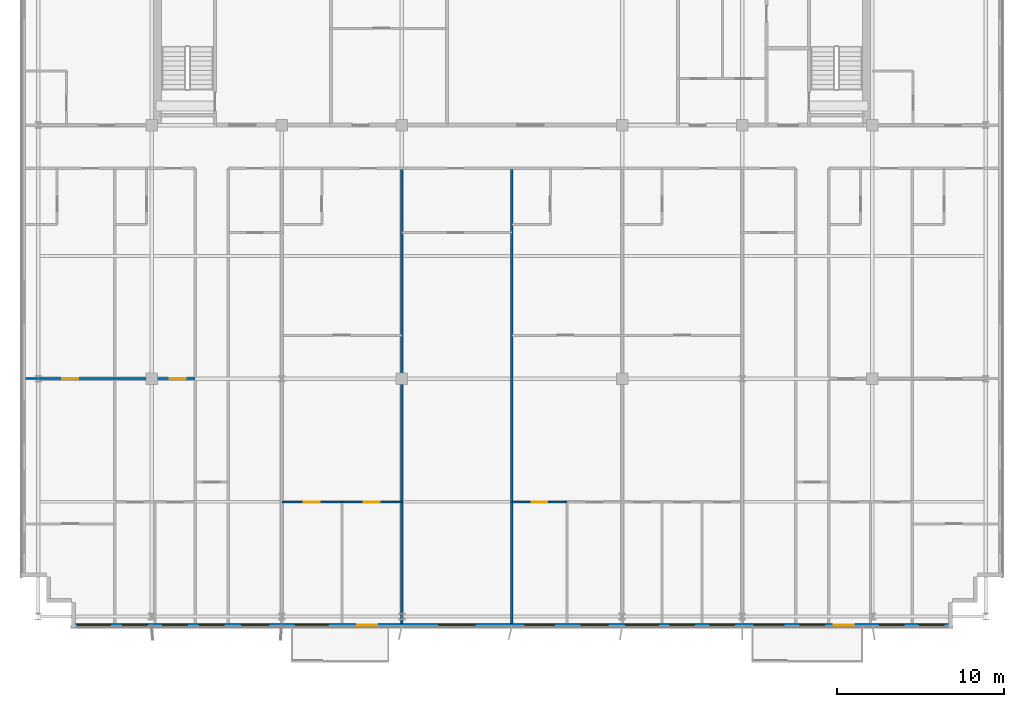
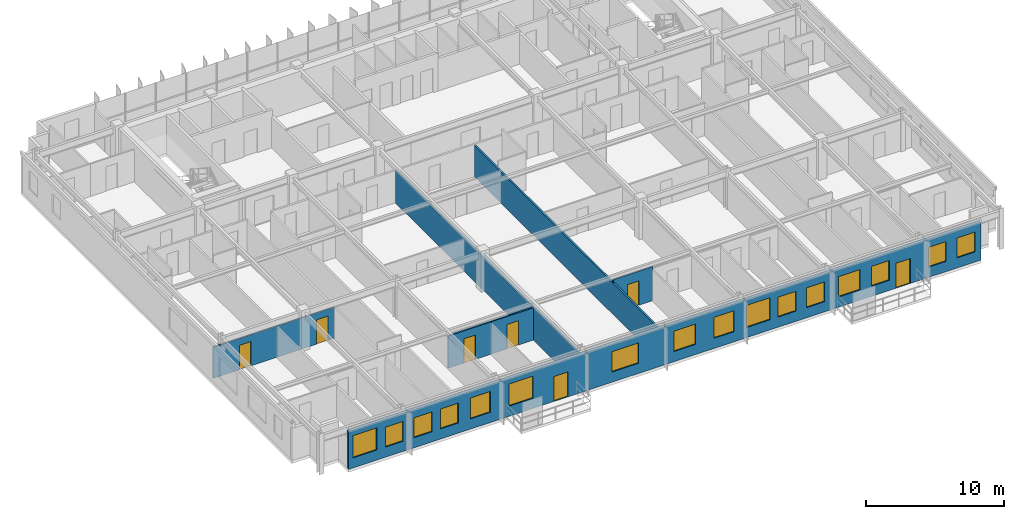
# One storey, part 15 of 22: 16 windows, 8 walls, 7 doors, 23 openings.
"""IFC4 building model written with IfcOpenShell, lengths in metres."""

from ifc_helpers import new_model, si_unit, direction, frame, frame_2d, origin, place, context, subcontext, project, spatial, rectangle, extrude, source, transform, mapped, material, layer, layer_set, type_object, element, fill, save


model = new_model("IFC4")

# Units and contexts
model_context = context("Model", 3, precision=1e-05, world=origin(), true_north=direction((0.0, 1.0)))
body_context = subcontext(model_context, "Body", "Model", "MODEL_VIEW")
ifc_project = project(units=[si_unit("LENGTHUNIT", "METRE"), si_unit("AREAUNIT", "SQUARE_METRE"), si_unit("VOLUMEUNIT", "CUBIC_METRE"), si_unit("PLANEANGLEUNIT", "RADIAN"), si_unit("MASSUNIT", "GRAM", prefix="KILO")], contexts=[model_context])

# Site, building, storey
site_placement = place(None, origin())
site = spatial("IfcSite", under=ifc_project, at=site_placement, CompositionType="ELEMENT")
building_placement = place(site_placement, origin())
building = spatial("IfcBuilding", under=site, at=building_placement, Name="Trelvane Seafront Commons", CompositionType="ELEMENT")
storey_placement = place(building_placement, frame((0.0, 0.0, 139.300048828125)))
storey = spatial("IfcBuildingStorey", under=building, at=storey_placement, Name="L36", CompositionType="ELEMENT", Elevation=139.300048828125)

# Wall, openings, doors, windows
ifc_material_1 = material(Name="Precast concrete C40/50", Category="concrete")
ifc_layer_1 = layer(ifc_material_1, 0.239990234375, Name="ARCH-WALL-EXT240")
ifc_layer_set_1 = layer_set([ifc_layer_1], Name="Precast concrete C40/50")
wall_type_1 = type_object("IfcWallType", Name="ARCH-WALL-EXT240", PredefinedType="SOLIDWALL", material=ifc_layer_set_1)
wall_1_placement = place(storey_placement, frame((63.60009765625, 3.419921875, 0.0), z_axis=(0.0, 0.0, 1.0), x_axis=(-1.0, 0.0, 0.0)))
wall_1 = element("IfcWall", 1, at=wall_1_placement, inside=storey, type_object=wall_type_1, Name="EW-L36-00714", PredefinedType="SOLIDWALL", context=body_context, shape_type="SweptSolid", body=[
    extrude(rectangle(XDim=52.800048828125, YDim=0.239990234375, at=frame_2d((26.39990234375, 0.0))), origin(), (0.0, 0.0, 1.0), 3.349853515625),
])
opening_1_placement = place(wall_1_placement, frame((0.4951171875, 0.0, 0.89990234375)))
opening_1 = element("IfcOpeningElement", 2, at=opening_1_placement, cuts=wall_1, Name="Opening W03", PredefinedType="OPENING", context=body_context, shape_type="SweptSolid", body=[
    extrude(rectangle(XDim=1.5, YDim=1.75, at=frame_2d((0.75, 0.875))), frame((0.0, 0.1298828125, 0.0), z_axis=(0.0, -1.0, 0.0), x_axis=(1.0, 0.0, 0.0)), (0.0, 0.0, 1.0), 0.260009765625),
])
opening_2_placement = place(wall_1_placement, frame((2.89990234375, 0.0, 0.89990234375)))
opening_2 = element("IfcOpeningElement", 3, at=opening_2_placement, cuts=wall_1, Name="Opening W03", PredefinedType="OPENING", context=body_context, shape_type="SweptSolid", body=[
    extrude(rectangle(XDim=1.5, YDim=1.75, at=frame_2d((0.75, 0.875))), frame((0.0, 0.1298828125, 0.0), z_axis=(0.0, -1.0, 0.0), x_axis=(1.0, 0.0, 0.0)), (0.0, 0.0, 1.0), 0.260009765625),
])
opening_3_placement = place(wall_1_placement, frame((5.902099609375, 0.0, 0.0)))
opening_3 = element("IfcOpeningElement", 4, at=opening_3_placement, cuts=wall_1, Name="Opening BD-L36-85", PredefinedType="OPENING", context=body_context, shape_type="SweptSolid", body=[
    extrude(rectangle(XDim=1.199951171875, YDim=2.199951171875, at=frame_2d((0.60009765625, 1.10009765625))), frame((0.0, 0.1298828125, 0.0), z_axis=(0.0, -1.0, 0.0), x_axis=(1.0, 0.0, 0.0)), (0.0, 0.0, 1.0), 0.260009765625),
])
opening_4_placement = place(wall_1_placement, frame((7.64990234375, 0.0, 0.89990234375)))
opening_4 = element("IfcOpeningElement", 5, at=opening_4_placement, cuts=wall_1, Name="Opening W03", PredefinedType="OPENING", context=body_context, shape_type="SweptSolid", body=[
    extrude(rectangle(XDim=1.5, YDim=1.75, at=frame_2d((0.75, 0.875))), frame((0.0, 0.1298828125, 0.0), z_axis=(0.0, -1.0, 0.0), x_axis=(1.0, 0.0, 0.0)), (0.0, 0.0, 1.0), 0.260009765625),
])
opening_5_placement = place(wall_1_placement, frame((10.10009765625, 0.0, 0.89990234375)))
opening_5 = element("IfcOpeningElement", 6, at=opening_5_placement, cuts=wall_1, Name="Opening W01", PredefinedType="OPENING", context=body_context, shape_type="SweptSolid", body=[
    extrude(rectangle(XDim=1.800048828125, YDim=1.800048828125, at=frame_2d((0.89990234375, 0.89990234375))), frame((0.0, 0.1298828125, 0.0), z_axis=(0.0, -1.0, 0.0), x_axis=(1.0, 0.0, 0.0)), (0.0, 0.0, 1.0), 0.260009765625),
])
opening_6_placement = place(wall_1_placement, frame((13.050048828125, 0.0, 0.89990234375)))
opening_6 = element("IfcOpeningElement", 7, at=opening_6_placement, cuts=wall_1, Name="Opening W03", PredefinedType="OPENING", context=body_context, shape_type="SweptSolid", body=[
    extrude(rectangle(XDim=1.5, YDim=1.75, at=frame_2d((0.75, 0.875))), frame((0.0, 0.1298828125, 0.0), z_axis=(0.0, -1.0, 0.0), x_axis=(1.0, 0.0, 0.0)), (0.0, 0.0, 1.0), 0.260009765625),
])
opening_7_placement = place(wall_1_placement, frame((15.449951171875, 0.0, 0.89990234375)))
opening_7 = element("IfcOpeningElement", 8, at=opening_7_placement, cuts=wall_1, Name="Opening W03", PredefinedType="OPENING", context=body_context, shape_type="SweptSolid", body=[
    extrude(rectangle(XDim=1.5, YDim=1.75, at=frame_2d((0.75, 0.875))), frame((0.0, 0.1298828125, 0.0), z_axis=(0.0, -1.0, 0.0), x_axis=(1.0, 0.0, 0.0)), (0.0, 0.0, 1.0), 0.260009765625),
])
opening_8_placement = place(wall_1_placement, frame((17.60009765625, 0.0, 0.89990234375)))
opening_8 = element("IfcOpeningElement", 9, at=opening_8_placement, cuts=wall_1, Name="Opening W06", PredefinedType="OPENING", context=body_context, shape_type="SweptSolid", body=[
    extrude(rectangle(XDim=2.0, YDim=1.949951171875, at=frame_2d((1.0, 0.97509765625))), frame((0.0, 0.1298828125, 0.0), z_axis=(0.0, -1.0, 0.0), x_axis=(1.0, 0.0, 0.0)), (0.0, 0.0, 1.0), 0.260009765625),
])
opening_9_placement = place(wall_1_placement, frame((20.625, 0.0, 0.89990234375)))
opening_9 = element("IfcOpeningElement", 10, at=opening_9_placement, cuts=wall_1, Name="Opening W07", PredefinedType="OPENING", context=body_context, shape_type="SweptSolid", body=[
    extrude(rectangle(XDim=1.64990234375, YDim=1.85009765625, at=frame_2d((0.824951171875, 0.925048828125))), frame((0.0, 0.1298828125, 0.0), z_axis=(0.0, -1.0, 0.0), x_axis=(1.0, 0.0, 0.0)), (0.0, 0.0, 1.0), 0.260009765625),
])
opening_10_placement = place(wall_1_placement, frame((23.85009765625, 0.0, 0.89990234375)))
opening_10 = element("IfcOpeningElement", 11, at=opening_10_placement, cuts=wall_1, Name="Opening W01", PredefinedType="OPENING", context=body_context, shape_type="SweptSolid", body=[
    extrude(rectangle(XDim=1.800048828125, YDim=1.800048828125, at=frame_2d((0.89990234375, 0.89990234375))), frame((0.0, 0.1298828125, 0.0), z_axis=(0.0, -1.0, 0.0), x_axis=(1.0, 0.0, 0.0)), (0.0, 0.0, 1.0), 0.260009765625),
])
opening_11_placement = place(wall_1_placement, frame((28.60009765625, 0.0, 0.89990234375)))
opening_11 = element("IfcOpeningElement", 12, at=opening_11_placement, cuts=wall_1, Name="Opening W02", PredefinedType="OPENING", context=body_context, shape_type="SweptSolid", body=[
    extrude(rectangle(XDim=2.199951171875, YDim=1.800048828125, at=frame_2d((1.10009765625, 0.89990234375))), frame((0.0, 0.1298828125, 0.0), z_axis=(0.0, -1.0, 0.0), x_axis=(1.0, 0.0, 0.0)), (0.0, 0.0, 1.0), 0.260009765625),
])
opening_12_placement = place(wall_1_placement, frame((34.47802734375, 0.0, 0.0)))
opening_12 = element("IfcOpeningElement", 13, at=opening_12_placement, cuts=wall_1, Name="Opening BD-L36-86", PredefinedType="OPENING", context=body_context, shape_type="SweptSolid", body=[
    extrude(rectangle(XDim=1.199951171875, YDim=2.199951171875, at=frame_2d((0.60009765625, 1.10009765625))), frame((0.0, 0.1298828125, 0.0), z_axis=(0.0, -1.0, 0.0), x_axis=(1.0, 0.0, 0.0)), (0.0, 0.0, 1.0), 0.260009765625),
])
opening_13_placement = place(wall_1_placement, frame((37.39990234375, 0.0, 0.89990234375)))
opening_13 = element("IfcOpeningElement", 14, at=opening_13_placement, cuts=wall_1, Name="Opening W06", PredefinedType="OPENING", context=body_context, shape_type="SweptSolid", body=[
    extrude(rectangle(XDim=2.0, YDim=1.949951171875, at=frame_2d((1.0, 0.97509765625))), frame((0.0, 0.1298828125, 0.0), z_axis=(0.0, -1.0, 0.0), x_axis=(1.0, 0.0, 0.0)), (0.0, 0.0, 1.0), 0.260009765625),
])
opening_14_placement = place(wall_1_placement, frame((40.97509765625, 0.0, 0.89990234375)))
opening_14 = element("IfcOpeningElement", 15, at=opening_14_placement, cuts=wall_1, Name="Opening W07", PredefinedType="OPENING", context=body_context, shape_type="SweptSolid", body=[
    extrude(rectangle(XDim=1.64990234375, YDim=1.85009765625, at=frame_2d((0.824951171875, 0.925048828125))), frame((0.0, 0.1298828125, 0.0), z_axis=(0.0, -1.0, 0.0), x_axis=(1.0, 0.0, 0.0)), (0.0, 0.0, 1.0), 0.260009765625),
])
opening_15_placement = place(wall_1_placement, frame((43.64990234375, 0.0, 0.89990234375)))
opening_15 = element("IfcOpeningElement", 16, at=opening_15_placement, cuts=wall_1, Name="Opening W03", PredefinedType="OPENING", context=body_context, shape_type="SweptSolid", body=[
    extrude(rectangle(XDim=1.5, YDim=1.75, at=frame_2d((0.75, 0.875))), frame((0.0, 0.1298828125, 0.0), z_axis=(0.0, -1.0, 0.0), x_axis=(1.0, 0.0, 0.0)), (0.0, 0.0, 1.0), 0.260009765625),
])
opening_16_placement = place(wall_1_placement, frame((45.85009765625, 0.0, 0.89990234375)))
opening_16 = element("IfcOpeningElement", 17, at=opening_16_placement, cuts=wall_1, Name="Opening W03", PredefinedType="OPENING", context=body_context, shape_type="SweptSolid", body=[
    extrude(rectangle(XDim=1.5, YDim=1.75, at=frame_2d((0.75, 0.875))), frame((0.0, 0.1298828125, 0.0), z_axis=(0.0, -1.0, 0.0), x_axis=(1.0, 0.0, 0.0)), (0.0, 0.0, 1.0), 0.260009765625),
])
opening_17_placement = place(wall_1_placement, frame((48.25, 0.0, 0.89990234375)))
opening_17 = element("IfcOpeningElement", 18, at=opening_17_placement, cuts=wall_1, Name="Opening W03", PredefinedType="OPENING", context=body_context, shape_type="SweptSolid", body=[
    extrude(rectangle(XDim=1.5, YDim=1.75, at=frame_2d((0.75, 0.875))), frame((0.0, 0.1298828125, 0.0), z_axis=(0.0, -1.0, 0.0), x_axis=(1.0, 0.0, 0.0)), (0.0, 0.0, 1.0), 0.260009765625),
])
opening_18_placement = place(wall_1_placement, frame((50.455078125, 0.0, 0.89990234375)))
opening_18 = element("IfcOpeningElement", 19, at=opening_18_placement, cuts=wall_1, Name="Opening W06", PredefinedType="OPENING", context=body_context, shape_type="SweptSolid", body=[
    extrude(rectangle(XDim=2.0, YDim=1.949951171875, at=frame_2d((1.0, 0.97509765625))), frame((0.0, 0.1298828125, 0.0), z_axis=(0.0, -1.0, 0.0), x_axis=(1.0, 0.0, 0.0)), (0.0, 0.0, 1.0), 0.260009765625),
])
ifc_material_2 = material(Name="Powder-coated aluminium frame", Category="aluminium")
door_type_1 = type_object("IfcDoorType", Name="ARCH-DR-BAL1200", OperationType="NOTDEFINED", PredefinedType="DOOR", material=ifc_material_2)
shared_shape_1 = source(origin(), body_context, "Body", "SweptSolid", [
    extrude(rectangle(XDim=1.199951171875, YDim=2.199951171875, at=frame_2d((0.60009765625, 1.10009765625))), frame((0.0, 0.02490234375, 0.0), z_axis=(0.0, -1.0, 0.0), x_axis=(1.0, 0.0, 0.0)), (0.0, 0.0, 1.0), 0.050048828125),
])
door_1_placement = place(opening_3_placement, origin())
door_1 = element("IfcDoor", 20, at=door_1_placement, inside=storey, type_object=door_type_1, Name="L36 Balcony Terrace Access Door", OperationType="SINGLE_SWING_LEFT", OverallHeight=2.199951171875, OverallWidth=1.199951171875, PredefinedType="DOOR", context=body_context, shape_type="MappedRepresentation", body=[
    mapped(shared_shape_1, transform((0.0, 0.0, 0.0), x_axis=(1.0, 0.0, 0.0), y_axis=(0.0, 1.0, 0.0), z_axis=(0.0, 0.0, 1.0), scale=1.0)),
])
fill(opening_3, door_1)
door_2_placement = place(opening_12_placement, origin())
door_2 = element("IfcDoor", 21, at=door_2_placement, inside=storey, type_object=door_type_1, Name="L36 Balcony Terrace Access Door", OperationType="SINGLE_SWING_LEFT", OverallHeight=2.199951171875, OverallWidth=1.199951171875, PredefinedType="DOOR", context=body_context, shape_type="MappedRepresentation", body=[
    mapped(shared_shape_1, transform((0.0, 0.0, 0.0), x_axis=(1.0, 0.0, 0.0), y_axis=(0.0, 1.0, 0.0), z_axis=(0.0, 0.0, 1.0), scale=1.0)),
])
fill(opening_12, door_2)
ifc_material_3 = material(Name="Low-E coastal double glazing", Category="glass")
window_type_1 = type_object("IfcWindowType", Name="ARCH-WIN-W02", PartitioningType="SINGLE_PANEL", PredefinedType="WINDOW", material=ifc_material_3)
shared_shape_2 = source(origin(), body_context, "Body", "SweptSolid", [
    extrude(rectangle(XDim=2.199951171875, YDim=1.800048828125, at=frame_2d((1.10009765625, 0.89990234375))), frame((0.0, 0.030029296875, 0.0), z_axis=(0.0, -1.0, 0.0), x_axis=(1.0, 0.0, 0.0)), (0.0, 0.0, 1.0), 0.06005859375),
])
window_1_placement = place(opening_11_placement, origin())
window_1 = element("IfcWindow", 22, at=window_1_placement, inside=storey, type_object=window_type_1, Name="WIN-L36-00843", OverallHeight=1.800048828125, OverallWidth=2.199951171875, PartitioningType="SINGLE_PANEL", PredefinedType="WINDOW", context=body_context, shape_type="MappedRepresentation", body=[
    mapped(shared_shape_2, transform((0.0, 0.0, 0.0), x_axis=(1.0, 0.0, 0.0), y_axis=(0.0, 1.0, 0.0), z_axis=(0.0, 0.0, 1.0), scale=1.0)),
])
fill(opening_11, window_1)
window_type_2 = type_object("IfcWindowType", Name="ARCH-WIN-W03", PartitioningType="SINGLE_PANEL", PredefinedType="WINDOW", material=ifc_material_3)
shared_shape_3 = source(origin(), body_context, "Body", "SweptSolid", [
    extrude(rectangle(XDim=1.5, YDim=1.75, at=frame_2d((0.75, 0.875))), frame((0.0, 0.030029296875, 0.0), z_axis=(0.0, -1.0, 0.0), x_axis=(1.0, 0.0, 0.0)), (0.0, 0.0, 1.0), 0.06005859375),
])
window_2_placement = place(opening_1_placement, origin())
window_2 = element("IfcWindow", 23, at=window_2_placement, inside=storey, type_object=window_type_2, Name="WIN-L36-00834", OverallHeight=1.75, OverallWidth=1.5, PartitioningType="SINGLE_PANEL", PredefinedType="WINDOW", context=body_context, shape_type="MappedRepresentation", body=[
    mapped(shared_shape_3, transform((0.0, 0.0, 0.0), x_axis=(1.0, 0.0, 0.0), y_axis=(0.0, 1.0, 0.0), z_axis=(0.0, 0.0, 1.0), scale=1.0)),
])
fill(opening_1, window_2)
window_3_placement = place(opening_2_placement, origin())
window_3 = element("IfcWindow", 24, at=window_3_placement, inside=storey, type_object=window_type_2, Name="WIN-L36-00835", OverallHeight=1.75, OverallWidth=1.5, PartitioningType="SINGLE_PANEL", PredefinedType="WINDOW", context=body_context, shape_type="MappedRepresentation", body=[
    mapped(shared_shape_3, transform((0.0, 0.0, 0.0), x_axis=(1.0, 0.0, 0.0), y_axis=(0.0, 1.0, 0.0), z_axis=(0.0, 0.0, 1.0), scale=1.0)),
])
fill(opening_2, window_3)
window_4_placement = place(opening_4_placement, origin())
window_4 = element("IfcWindow", 25, at=window_4_placement, inside=storey, type_object=window_type_2, Name="WIN-L36-00836", OverallHeight=1.75, OverallWidth=1.5, PartitioningType="SINGLE_PANEL", PredefinedType="WINDOW", context=body_context, shape_type="MappedRepresentation", body=[
    mapped(shared_shape_3, transform((0.0, 0.0, 0.0), x_axis=(1.0, 0.0, 0.0), y_axis=(0.0, 1.0, 0.0), z_axis=(0.0, 0.0, 1.0), scale=1.0)),
])
fill(opening_4, window_4)
window_5_placement = place(opening_6_placement, origin())
window_5 = element("IfcWindow", 26, at=window_5_placement, inside=storey, type_object=window_type_2, Name="WIN-L36-00838", OverallHeight=1.75, OverallWidth=1.5, PartitioningType="SINGLE_PANEL", PredefinedType="WINDOW", context=body_context, shape_type="MappedRepresentation", body=[
    mapped(shared_shape_3, transform((0.0, 0.0, 0.0), x_axis=(1.0, 0.0, 0.0), y_axis=(0.0, 1.0, 0.0), z_axis=(0.0, 0.0, 1.0), scale=1.0)),
])
fill(opening_6, window_5)
window_6_placement = place(opening_7_placement, origin())
window_6 = element("IfcWindow", 27, at=window_6_placement, inside=storey, type_object=window_type_2, Name="WIN-L36-00839", OverallHeight=1.75, OverallWidth=1.5, PartitioningType="SINGLE_PANEL", PredefinedType="WINDOW", context=body_context, shape_type="MappedRepresentation", body=[
    mapped(shared_shape_3, transform((0.0, 0.0, 0.0), x_axis=(1.0, 0.0, 0.0), y_axis=(0.0, 1.0, 0.0), z_axis=(0.0, 0.0, 1.0), scale=1.0)),
])
fill(opening_7, window_6)
window_7_placement = place(opening_15_placement, origin())
window_7 = element("IfcWindow", 28, at=window_7_placement, inside=storey, type_object=window_type_2, Name="WIN-L36-00846", OverallHeight=1.75, OverallWidth=1.5, PartitioningType="SINGLE_PANEL", PredefinedType="WINDOW", context=body_context, shape_type="MappedRepresentation", body=[
    mapped(shared_shape_3, transform((0.0, 0.0, 0.0), x_axis=(1.0, 0.0, 0.0), y_axis=(0.0, 1.0, 0.0), z_axis=(0.0, 0.0, 1.0), scale=1.0)),
])
fill(opening_15, window_7)
window_8_placement = place(opening_16_placement, origin())
window_8 = element("IfcWindow", 29, at=window_8_placement, inside=storey, type_object=window_type_2, Name="WIN-L36-00847", OverallHeight=1.75, OverallWidth=1.5, PartitioningType="SINGLE_PANEL", PredefinedType="WINDOW", context=body_context, shape_type="MappedRepresentation", body=[
    mapped(shared_shape_3, transform((0.0, 0.0, 0.0), x_axis=(1.0, 0.0, 0.0), y_axis=(0.0, 1.0, 0.0), z_axis=(0.0, 0.0, 1.0), scale=1.0)),
])
fill(opening_16, window_8)
window_9_placement = place(opening_17_placement, origin())
window_9 = element("IfcWindow", 30, at=window_9_placement, inside=storey, type_object=window_type_2, Name="WIN-L36-00848", OverallHeight=1.75, OverallWidth=1.5, PartitioningType="SINGLE_PANEL", PredefinedType="WINDOW", context=body_context, shape_type="MappedRepresentation", body=[
    mapped(shared_shape_3, transform((0.0, 0.0, 0.0), x_axis=(1.0, 0.0, 0.0), y_axis=(0.0, 1.0, 0.0), z_axis=(0.0, 0.0, 1.0), scale=1.0)),
])
fill(opening_17, window_9)
window_type_3 = type_object("IfcWindowType", Name="ARCH-WIN-W06", PartitioningType="SINGLE_PANEL", PredefinedType="WINDOW", material=ifc_material_3)
shared_shape_4 = source(origin(), body_context, "Body", "SweptSolid", [
    extrude(rectangle(XDim=2.0, YDim=1.949951171875, at=frame_2d((1.0, 0.97509765625))), frame((0.0, 0.030029296875, 0.0), z_axis=(0.0, -1.0, 0.0), x_axis=(1.0, 0.0, 0.0)), (0.0, 0.0, 1.0), 0.06005859375),
])
window_10_placement = place(opening_8_placement, origin())
window_10 = element("IfcWindow", 31, at=window_10_placement, inside=storey, type_object=window_type_3, Name="WIN-L36-00840", OverallHeight=1.949951171875, OverallWidth=2.0, PartitioningType="SINGLE_PANEL", PredefinedType="WINDOW", context=body_context, shape_type="MappedRepresentation", body=[
    mapped(shared_shape_4, transform((0.0, 0.0, 0.0), x_axis=(1.0, 0.0, 0.0), y_axis=(0.0, 1.0, 0.0), z_axis=(0.0, 0.0, 1.0), scale=1.0)),
])
fill(opening_8, window_10)
window_11_placement = place(opening_13_placement, origin())
window_11 = element("IfcWindow", 32, at=window_11_placement, inside=storey, type_object=window_type_3, Name="WIN-L36-00844", OverallHeight=1.949951171875, OverallWidth=2.0, PartitioningType="SINGLE_PANEL", PredefinedType="WINDOW", context=body_context, shape_type="MappedRepresentation", body=[
    mapped(shared_shape_4, transform((0.0, 0.0, 0.0), x_axis=(1.0, 0.0, 0.0), y_axis=(0.0, 1.0, 0.0), z_axis=(0.0, 0.0, 1.0), scale=1.0)),
])
fill(opening_13, window_11)
window_12_placement = place(opening_18_placement, origin())
window_12 = element("IfcWindow", 33, at=window_12_placement, inside=storey, type_object=window_type_3, Name="WIN-L36-00849", OverallHeight=1.949951171875, OverallWidth=2.0, PartitioningType="SINGLE_PANEL", PredefinedType="WINDOW", context=body_context, shape_type="MappedRepresentation", body=[
    mapped(shared_shape_4, transform((0.0, 0.0, 0.0), x_axis=(1.0, 0.0, 0.0), y_axis=(0.0, 1.0, 0.0), z_axis=(0.0, 0.0, 1.0), scale=1.0)),
])
fill(opening_18, window_12)
window_type_4 = type_object("IfcWindowType", Name="ARCH-WIN-W01", PartitioningType="SINGLE_PANEL", PredefinedType="WINDOW", material=ifc_material_3)
shared_shape_5 = source(origin(), body_context, "Body", "SweptSolid", [
    extrude(rectangle(XDim=1.800048828125, YDim=1.800048828125, at=frame_2d((0.89990234375, 0.89990234375))), frame((0.0, 0.030029296875, 0.0), z_axis=(0.0, -1.0, 0.0), x_axis=(1.0, 0.0, 0.0)), (0.0, 0.0, 1.0), 0.06005859375),
])
window_13_placement = place(opening_5_placement, origin())
window_13 = element("IfcWindow", 34, at=window_13_placement, inside=storey, type_object=window_type_4, Name="WIN-L36-00837", OverallHeight=1.800048828125, OverallWidth=1.800048828125, PartitioningType="SINGLE_PANEL", PredefinedType="WINDOW", context=body_context, shape_type="MappedRepresentation", body=[
    mapped(shared_shape_5, transform((0.0, 0.0, 0.0), x_axis=(1.0, 0.0, 0.0), y_axis=(0.0, 1.0, 0.0), z_axis=(0.0, 0.0, 1.0), scale=1.0)),
])
fill(opening_5, window_13)
window_14_placement = place(opening_10_placement, origin())
window_14 = element("IfcWindow", 35, at=window_14_placement, inside=storey, type_object=window_type_4, Name="WIN-L36-00842", OverallHeight=1.800048828125, OverallWidth=1.800048828125, PartitioningType="SINGLE_PANEL", PredefinedType="WINDOW", context=body_context, shape_type="MappedRepresentation", body=[
    mapped(shared_shape_5, transform((0.0, 0.0, 0.0), x_axis=(1.0, 0.0, 0.0), y_axis=(0.0, 1.0, 0.0), z_axis=(0.0, 0.0, 1.0), scale=1.0)),
])
fill(opening_10, window_14)
window_type_5 = type_object("IfcWindowType", Name="ARCH-WIN-W07", PartitioningType="SINGLE_PANEL", PredefinedType="WINDOW", material=ifc_material_3)
shared_shape_6 = source(origin(), body_context, "Body", "SweptSolid", [
    extrude(rectangle(XDim=1.64990234375, YDim=1.85009765625, at=frame_2d((0.824951171875, 0.925048828125))), frame((0.0, 0.030029296875, 0.0), z_axis=(0.0, -1.0, 0.0), x_axis=(1.0, 0.0, 0.0)), (0.0, 0.0, 1.0), 0.06005859375),
])
window_15_placement = place(opening_9_placement, origin())
window_15 = element("IfcWindow", 36, at=window_15_placement, inside=storey, type_object=window_type_5, Name="WIN-L36-00841", OverallHeight=1.85009765625, OverallWidth=1.64990234375, PartitioningType="SINGLE_PANEL", PredefinedType="WINDOW", context=body_context, shape_type="MappedRepresentation", body=[
    mapped(shared_shape_6, transform((0.0, 0.0, 0.0), x_axis=(1.0, 0.0, 0.0), y_axis=(0.0, 1.0, 0.0), z_axis=(0.0, 0.0, 1.0), scale=1.0)),
])
fill(opening_9, window_15)
window_16_placement = place(opening_14_placement, origin())
window_16 = element("IfcWindow", 37, at=window_16_placement, inside=storey, type_object=window_type_5, Name="WIN-L36-00845", OverallHeight=1.85009765625, OverallWidth=1.64990234375, PartitioningType="SINGLE_PANEL", PredefinedType="WINDOW", context=body_context, shape_type="MappedRepresentation", body=[
    mapped(shared_shape_6, transform((0.0, 0.0, 0.0), x_axis=(1.0, 0.0, 0.0), y_axis=(0.0, 1.0, 0.0), z_axis=(0.0, 0.0, 1.0), scale=1.0)),
])
fill(opening_14, window_16)

# Wall, opening, door
ifc_material_4 = material(Name="Gypsum Drywall Acoustic Partition")
ifc_layer_2 = layer(ifc_material_4, 0.1201171875, Name="ARCH-WALL-PART120")
ifc_layer_set_2 = layer_set([ifc_layer_2], Name="Gypsum Drywall Acoustic Partition")
wall_type_2 = type_object("IfcWallType", Name="ARCH-WALL-PART120", PredefinedType="PARTITIONING", material=ifc_layer_set_2)
wall_2_placement = place(storey_placement, frame((8.0400390625, 18.199951171875, 0.0), z_axis=(0.0, 0.0, 1.0), x_axis=(1.0, 0.0, 0.0)))
wall_2 = element("IfcWall", 38, at=wall_2_placement, inside=storey, type_object=wall_type_2, Name="W-L36-U1-KL-058", PredefinedType="PARTITIONING", context=body_context, shape_type="SweptSolid", body=[
    extrude(rectangle(XDim=5.35986328125, YDim=0.1201171875, at=frame_2d((2.679931640625, 0.0))), origin(), (0.0, 0.0, 1.0), 2.75),
])
opening_19_placement = place(wall_2_placement, frame((2.205078125, 0.0, 0.0)))
opening_19 = element("IfcOpeningElement", 39, at=opening_19_placement, cuts=wall_2, Name="Opening D-L36-31", PredefinedType="OPENING", context=body_context, shape_type="SweptSolid", body=[
    extrude(rectangle(XDim=0.949951171875, YDim=2.14990234375, at=frame_2d((0.47509765625, 1.074951171875))), frame((0.0, 0.070068359375, 0.0), z_axis=(0.0, -1.0, 0.0), x_axis=(1.0, 0.0, 0.0)), (0.0, 0.0, 1.0), 0.14013671875),
])
ifc_material_5 = material(Name="Acoustic timber door leaf", Category="wood")
door_type_2 = type_object("IfcDoorType", Name="ARCH-DR-INT950", OperationType="NOTDEFINED", PredefinedType="DOOR", material=ifc_material_5)
shared_shape_7 = source(origin(), body_context, "Body", "SweptSolid", [
    extrude(rectangle(XDim=0.949951171875, YDim=2.14990234375, at=frame_2d((0.47509765625, 1.074951171875))), frame((0.0, 0.02490234375, 0.0), z_axis=(0.0, -1.0, 0.0), x_axis=(1.0, 0.0, 0.0)), (0.0, 0.0, 1.0), 0.050048828125),
])
door_3_placement = place(opening_19_placement, origin())
door_3 = element("IfcDoor", 40, at=door_3_placement, inside=storey, type_object=door_type_2, Name="L36 Door 31", OperationType="SINGLE_SWING_LEFT", OverallHeight=2.14990234375, OverallWidth=0.949951171875, PredefinedType="DOOR", context=body_context, shape_type="MappedRepresentation", body=[
    mapped(shared_shape_7, transform((0.0, 0.0, 0.0), x_axis=(1.0, 0.0, 0.0), y_axis=(0.0, 1.0, 0.0), z_axis=(0.0, 0.0, 1.0), scale=1.0)),
])
fill(opening_19, door_3)

wall_3_placement = place(storey_placement, frame((13.39990234375, 18.199951171875, 0.0), z_axis=(0.0, 0.0, 1.0), x_axis=(1.0, 0.0, 0.0)))
wall_3 = element("IfcWall", 41, at=wall_3_placement, inside=storey, type_object=wall_type_2, Name="W-L36-U2-KL-063", PredefinedType="PARTITIONING", context=body_context, shape_type="SweptSolid", body=[
    extrude(rectangle(XDim=4.800048828125, YDim=0.1201171875, at=frame_2d((2.39990234375, 0.0))), origin(), (0.0, 0.0, 1.0), 2.75),
])
opening_20_placement = place(wall_3_placement, frame((3.2880859375, 0.0, 0.0)))
opening_20 = element("IfcOpeningElement", 42, at=opening_20_placement, cuts=wall_3, Name="Opening D-L36-35", PredefinedType="OPENING", context=body_context, shape_type="SweptSolid", body=[
    extrude(rectangle(XDim=0.949951171875, YDim=2.14990234375, at=frame_2d((0.47509765625, 1.074951171875))), frame((0.0, 0.070068359375, 0.0), z_axis=(0.0, -1.0, 0.0), x_axis=(1.0, 0.0, 0.0)), (0.0, 0.0, 1.0), 0.14013671875),
])
door_4_placement = place(opening_20_placement, origin())
door_4 = element("IfcDoor", 43, at=door_4_placement, inside=storey, type_object=door_type_2, Name="L36 Door 35", OperationType="SINGLE_SWING_LEFT", OverallHeight=2.14990234375, OverallWidth=0.949951171875, PredefinedType="DOOR", context=body_context, shape_type="MappedRepresentation", body=[
    mapped(shared_shape_7, transform((0.0, 0.0, 0.0), x_axis=(1.0, 0.0, 0.0), y_axis=(0.0, 1.0, 0.0), z_axis=(0.0, 0.0, 1.0), scale=1.0)),
])
fill(opening_20, door_4)

wall_4_placement = place(storey_placement, frame((23.39990234375, 10.800048828125, 0.0), z_axis=(0.0, 0.0, 1.0), x_axis=(1.0, 0.0, 0.0)))
wall_4 = element("IfcWall", 44, at=wall_4_placement, inside=storey, type_object=wall_type_2, Name="W-L36-U5-YM-1-079", PredefinedType="PARTITIONING", context=body_context, shape_type="SweptSolid", body=[
    extrude(rectangle(XDim=3.60009765625, YDim=0.1201171875, at=frame_2d((1.800048828125, 0.0))), origin(), (0.0, 0.0, 1.0), 2.849853515625),
])
opening_21_placement = place(wall_4_placement, frame((1.324951171875, 0.0, 0.0)))
opening_21 = element("IfcOpeningElement", 45, at=opening_21_placement, cuts=wall_4, Name="Opening D-L36-46", PredefinedType="OPENING", context=body_context, shape_type="SweptSolid", body=[
    extrude(rectangle(XDim=0.949951171875, YDim=2.14990234375, at=frame_2d((0.47509765625, 1.074951171875))), frame((0.0, 0.070068359375, 0.0), z_axis=(0.0, -1.0, 0.0), x_axis=(1.0, 0.0, 0.0)), (0.0, 0.0, 1.0), 0.14013671875),
])
door_5_placement = place(opening_21_placement, origin())
door_5 = element("IfcDoor", 46, at=door_5_placement, inside=storey, type_object=door_type_2, Name="L36 Door 46", OperationType="SINGLE_SWING_RIGHT", OverallHeight=2.14990234375, OverallWidth=0.949951171875, PredefinedType="DOOR", context=body_context, shape_type="MappedRepresentation", body=[
    mapped(shared_shape_7, transform((0.0, 0.0, 0.0), x_axis=(1.0, 0.0, 0.0), y_axis=(0.0, 1.0, 0.0), z_axis=(0.0, 0.0, 1.0), scale=1.0)),
])
fill(opening_21, door_5)

wall_5_placement = place(storey_placement, frame((27.0, 10.800048828125, 0.0), z_axis=(0.0, 0.0, 1.0), x_axis=(1.0, 0.0, 0.0)))
wall_5 = element("IfcWall", 47, at=wall_5_placement, inside=storey, type_object=wall_type_2, Name="W-L36-U5-YM-2-080", PredefinedType="PARTITIONING", context=body_context, shape_type="SweptSolid", body=[
    extrude(rectangle(XDim=3.60009765625, YDim=0.1201171875, at=frame_2d((1.800048828125, 0.0))), origin(), (0.0, 0.0, 1.0), 2.849853515625),
])
opening_22_placement = place(wall_5_placement, frame((1.324951171875, 0.0, 0.0)))
opening_22 = element("IfcOpeningElement", 48, at=opening_22_placement, cuts=wall_5, Name="Opening D-L36-47", PredefinedType="OPENING", context=body_context, shape_type="SweptSolid", body=[
    extrude(rectangle(XDim=0.949951171875, YDim=2.14990234375, at=frame_2d((0.47509765625, 1.074951171875))), frame((0.0, 0.070068359375, 0.0), z_axis=(0.0, -1.0, 0.0), x_axis=(1.0, 0.0, 0.0)), (0.0, 0.0, 1.0), 0.14013671875),
])
door_6_placement = place(opening_22_placement, origin())
door_6 = element("IfcDoor", 49, at=door_6_placement, inside=storey, type_object=door_type_2, Name="L36 Door 47", OperationType="SINGLE_SWING_LEFT", OverallHeight=2.14990234375, OverallWidth=0.949951171875, PredefinedType="DOOR", context=body_context, shape_type="MappedRepresentation", body=[
    mapped(shared_shape_7, transform((0.0, 0.0, 0.0), x_axis=(1.0, 0.0, 0.0), y_axis=(0.0, 1.0, 0.0), z_axis=(0.0, 0.0, 1.0), scale=1.0)),
])
fill(opening_22, door_6)

wall_6_placement = place(storey_placement, frame((37.199951171875, 10.800048828125, 0.0), z_axis=(0.0, 0.0, 1.0), x_axis=(1.0, 0.0, 0.0)))
wall_6 = element("IfcWall", 50, at=wall_6_placement, inside=storey, type_object=wall_type_2, Name="W-L36-U7-YM-1-088", PredefinedType="PARTITIONING", context=body_context, shape_type="SweptSolid", body=[
    extrude(rectangle(XDim=3.300048828125, YDim=0.1201171875, at=frame_2d((1.64990234375, 0.0))), origin(), (0.0, 0.0, 1.0), 3.0),
])
opening_23_placement = place(wall_6_placement, frame((1.175048828125, 0.0, 0.0)))
opening_23 = element("IfcOpeningElement", 51, at=opening_23_placement, cuts=wall_6, Name="Opening D-L36-53", PredefinedType="OPENING", context=body_context, shape_type="SweptSolid", body=[
    extrude(rectangle(XDim=0.949951171875, YDim=2.14990234375, at=frame_2d((0.47509765625, 1.074951171875))), frame((0.0, 0.070068359375, 0.0), z_axis=(0.0, -1.0, 0.0), x_axis=(1.0, 0.0, 0.0)), (0.0, 0.0, 1.0), 0.14013671875),
])
door_7_placement = place(opening_23_placement, origin())
door_7 = element("IfcDoor", 52, at=door_7_placement, inside=storey, type_object=door_type_2, Name="L36 Door 53", OperationType="SINGLE_SWING_LEFT", OverallHeight=2.14990234375, OverallWidth=0.949951171875, PredefinedType="DOOR", context=body_context, shape_type="MappedRepresentation", body=[
    mapped(shared_shape_7, transform((0.0, 0.0, 0.0), x_axis=(1.0, 0.0, 0.0), y_axis=(0.0, 1.0, 0.0), z_axis=(0.0, 0.0, 1.0), scale=1.0)),
])
fill(opening_23, door_7)

# Walls
ifc_layer_3 = layer(ifc_material_4, 0.14990234375, Name="ARCH-WALL-PART150")
ifc_layer_set_3 = layer_set([ifc_layer_3], Name="Gypsum Drywall Acoustic Partition")
wall_type_3 = type_object("IfcWallType", Name="ARCH-WALL-PART150", PredefinedType="PARTITIONING", material=ifc_layer_set_3)
wall_7_placement = place(storey_placement, frame((30.60009765625, 3.52490234375, 0.0), z_axis=(0.0, 0.0, 1.0), x_axis=(0.0, 1.0, 0.0)))
element("IfcWall", 53, at=wall_7_placement, inside=storey, type_object=wall_type_3, Name="W-L36-PW-5-053", PredefinedType="PARTITIONING", context=body_context, shape_type="SweptSolid", body=[
    extrude(rectangle(XDim=27.275146484375, YDim=0.14990234375, at=frame_2d((13.6376953125, 0.0))), origin(), (0.0, 0.0, 1.0), 2.849853515625),
])
wall_8_placement = place(storey_placement, frame((37.199951171875, 3.52490234375, 0.0), z_axis=(0.0, 0.0, 1.0), x_axis=(0.0, 1.0, 0.0)))
element("IfcWall", 54, at=wall_8_placement, inside=storey, type_object=wall_type_3, Name="W-L36-PW-6-054", PredefinedType="PARTITIONING", context=body_context, shape_type="SweptSolid", body=[
    extrude(rectangle(XDim=27.275146484375, YDim=0.14990234375, at=frame_2d((13.6376953125, 0.0))), origin(), (0.0, 0.0, 1.0), 2.75),
])

save(model, "model.ifc")
